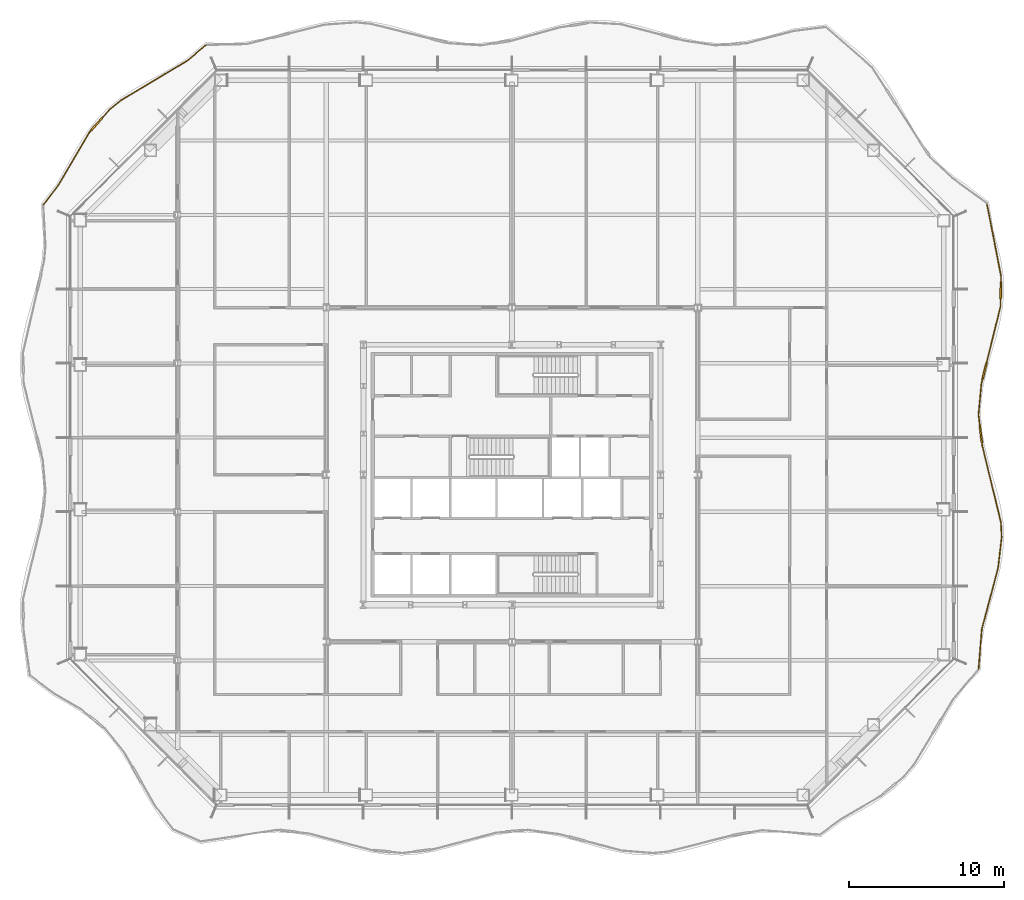
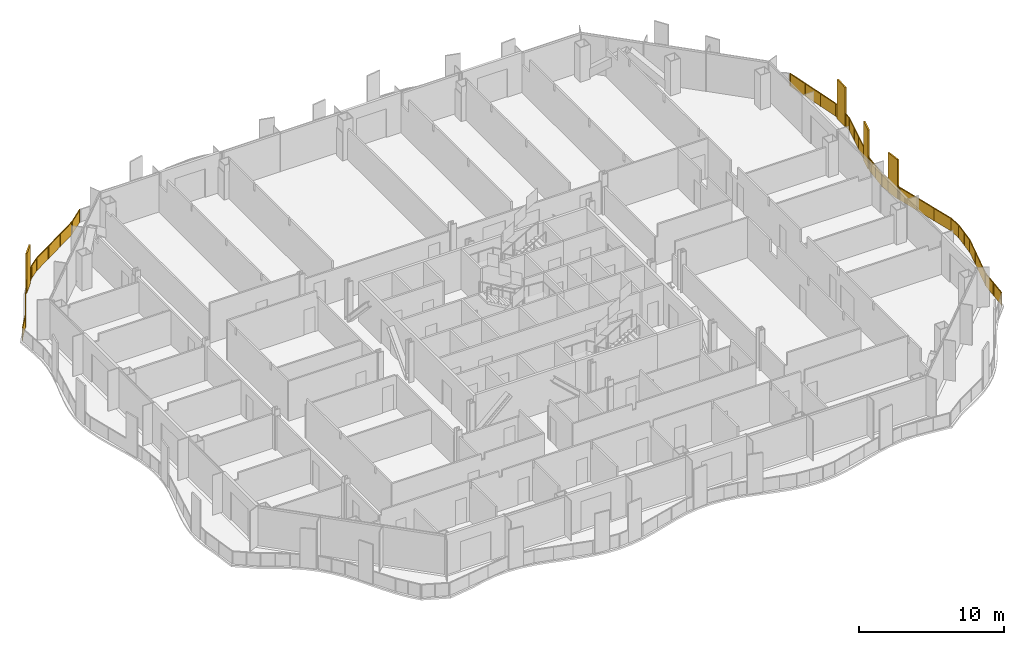
# One storey, part 21 of 23: 2 railings.
"""IFC4 building model written with IfcOpenShell, lengths in metres."""

from ifc_helpers import new_model, si_unit, direction, frame, origin, origin_2d, place, context, subcontext, project, spatial, polyline, rectangle, outline, extrude, material, type_object, element, save


model = new_model("IFC4")

# Units and contexts
model_context = context("Model", 3, precision=1e-05, world=origin(), true_north=direction((0.0, 1.0)))
body_context = subcontext(model_context, "Body", "Model", "MODEL_VIEW")
ifc_project = project(units=[si_unit("LENGTHUNIT", "METRE"), si_unit("AREAUNIT", "SQUARE_METRE"), si_unit("VOLUMEUNIT", "CUBIC_METRE"), si_unit("PLANEANGLEUNIT", "RADIAN"), si_unit("MASSUNIT", "GRAM", prefix="KILO")], contexts=[model_context])

# Site, building, storey
site_placement = place(None, origin())
site = spatial("IfcSite", under=ifc_project, at=site_placement, CompositionType="ELEMENT")
building_placement = place(site_placement, origin())
building = spatial("IfcBuilding", under=site, at=building_placement, Name="Cairn Pilgrim Tower", CompositionType="ELEMENT")
storey_placement = place(building_placement, frame((0.0, 0.0, 115.800048828125)))
storey = spatial("IfcBuildingStorey", under=building, at=storey_placement, Name="L28", CompositionType="ELEMENT", Elevation=115.800048828125)

# Railings
ifc_material = material(Name="Bronze anodised aluminium rail, posts and fin screens with laminated glass infill", Category="aluminium")
railing_type = type_object("IfcRailingType", Name="BALCONY GUARD WITH FIN SCREENS", PredefinedType="GUARDRAIL", material=ifc_material)
railing_1_placement = place(storey_placement, frame((37.3544921875, -10.1611328125, 0.0)))
element("IfcRailing", 1, at=railing_1_placement, inside=storey, type_object=railing_type, Name="Balcony guard BGF-3 with fin screens", PredefinedType="GUARDRAIL", context=body_context, shape_type="SweptSolid", body=[
    extrude(rectangle(XDim=0.050048828125, YDim=0.050048828125, at=origin_2d()), frame((0.0, 0.0, 1.0751953125), z_axis=(0.080963164989, 0.996717094222, 0.0), x_axis=(-0.996717094222, 0.080963164989, 0.0)), (0.0, 0.0, 1.0), 2.581298828125),
    extrude(rectangle(XDim=0.050048828125, YDim=0.050048828125, at=origin_2d()), frame((0.208984375, 2.57275390625, 1.0751953125), z_axis=(0.256616911459, 0.966513197403, 0.0), x_axis=(-0.966513197403, 0.256616911459, 0.0)), (0.0, 0.0, 1.0), 4.11279296875),
    extrude(rectangle(XDim=0.050048828125, YDim=0.050048828125, at=origin_2d()), frame((1.264404296875, 6.5478515625, 1.0751953125), z_axis=(0.116461462847, 0.993195211261, 0.0), x_axis=(-0.993195211261, 0.116461462847, 0.0)), (0.0, 0.0, 1.0), 1.976806640625),
    extrude(rectangle(XDim=0.050048828125, YDim=0.050048828125, at=origin_2d()), frame((1.49462890625, 8.51123046875, 1.0751953125), z_axis=(-0.047697041272, 0.998861848432, 0.0), x_axis=(-0.998861848432, -0.047697041272, 0.0)), (0.0, 0.0, 1.0), 0.967529296875),
    extrude(rectangle(XDim=0.050048828125, YDim=0.050048828125, at=origin_2d()), frame((1.448486328125, 9.4775390625, 1.0751953125), z_axis=(-0.236172172534, 0.971711225067, 0.0), x_axis=(-0.971711225067, -0.236172172534, 0.0)), (0.0, 0.0, 1.0), 5.1044921875),
    extrude(rectangle(XDim=1.10009765625, YDim=0.110107421875, at=origin_2d()), frame((0.152099609375, 15.17724609375, 0.0), z_axis=(0.0, 0.0, 1.0), x_axis=(-0.12206206884, 0.99252246894, 0.0)), (0.0, 0.0, 1.0), 3.300048828125),
    extrude(rectangle(XDim=0.050048828125, YDim=0.050048828125, at=origin_2d()), frame((0.242919921875, 14.437744140625, 1.0751953125), z_axis=(-0.12206206884, 0.99252246894, 0.0), x_axis=(-0.99252246894, -0.12206206884, 0.0)), (0.0, 0.0, 1.0), 0.195068359375),
    extrude(rectangle(XDim=0.050048828125, YDim=0.050048828125, at=origin_2d()), frame((0.0849609375, 15.72314453125, 1.0751953125), z_axis=(-0.12206206884, 0.99252246894, 0.0), x_axis=(-0.99252246894, -0.12206206884, 0.0)), (0.0, 0.0, 1.0), 0.731201171875),
    extrude(rectangle(XDim=0.050048828125, YDim=0.050048828125, at=origin_2d()), frame((-0.00439453125, 16.44873046875, 1.0751953125), z_axis=(0.094638195613, 0.995511733698, 0.0), x_axis=(-0.995511733698, 0.094638195613, 0.0)), (0.0, 0.0, 1.0), 2.0224609375),
    extrude(rectangle(XDim=1.10009765625, YDim=0.110107421875, at=origin_2d()), frame((0.38671875, 19.267578125, 0.0), z_axis=(0.0, 0.0, 1.0), x_axis=(0.240590450199, 0.970626722934, 0.0)), (0.0, 0.0, 1.0), 3.300048828125),
    extrude(rectangle(XDim=0.050048828125, YDim=0.050048828125, at=origin_2d()), frame((0.18701171875, 18.462158203125, 1.0751953125), z_axis=(0.240590450199, 0.970626722934, 0.0), x_axis=(-0.970626722934, 0.240590450199, 0.0)), (0.0, 0.0, 1.0), 0.27978515625),
    extrude(rectangle(XDim=0.050048828125, YDim=0.050048828125, at=origin_2d()), frame((0.51904296875, 19.801513671875, 1.0751953125), z_axis=(0.240590450199, 0.970626722934, 0.0), x_axis=(-0.970626722934, 0.240590450199, 0.0)), (0.0, 0.0, 1.0), 3.73046875),
    extrude(rectangle(XDim=1.10009765625, YDim=0.110107421875, at=origin_2d()), frame((1.439208984375, 24.496337890625, 0.0), z_axis=(0.0, 0.0, 1.0), x_axis=(0.021242549652, 0.999774351584, 0.0)), (0.0, 0.0, 1.0), 3.300048828125),
    extrude(rectangle(XDim=0.050048828125, YDim=0.050048828125, at=origin_2d()), frame((1.41650390625, 23.42236328125, 1.0751953125), z_axis=(0.021242549652, 0.999774351584, 0.0), x_axis=(-0.999774351584, 0.021242549652, 0.0)), (0.0, 0.0, 1.0), 0.524169921875),
    extrude(rectangle(XDim=0.050048828125, YDim=0.050048828125, at=origin_2d()), frame((1.450927734375, 25.046142578125, 1.0751953125), z_axis=(0.021242549652, 0.999774351584, 0.0), x_axis=(-0.999774351584, 0.021242549652, 0.0)), (0.0, 0.0, 1.0), 0.32958984375),
    extrude(rectangle(XDim=0.050048828125, YDim=0.050048828125, at=origin_2d()), frame((1.4580078125, 25.375732421875, 1.0751953125), z_axis=(-0.191346697176, 0.981522511958, 0.0), x_axis=(-0.981522511958, -0.191346697176, 0.0)), (0.0, 0.0, 1.0), 4.766845703125),
    extrude(rectangle(XDim=0.050048828125, YDim=0.050048828125, at=origin_2d()), origin(), (0.0, 0.0, 1.0), 1.050048828125),
    extrude(rectangle(XDim=0.050048828125, YDim=0.050048828125, at=origin_2d()), frame((0.1044921875, 1.286376953125, 0.0)), (0.0, 0.0, 1.0), 1.050048828125),
    extrude(rectangle(XDim=0.050048828125, YDim=0.050048828125, at=origin_2d()), frame((0.208984375, 2.57275390625, 0.0)), (0.0, 0.0, 1.0), 1.050048828125),
    extrude(rectangle(XDim=0.050048828125, YDim=0.050048828125, at=origin_2d()), frame((0.560791015625, 3.897705078125, 0.0)), (0.0, 0.0, 1.0), 1.050048828125),
    extrude(rectangle(XDim=0.050048828125, YDim=0.050048828125, at=origin_2d()), frame((0.91259765625, 5.222900390625, 0.0)), (0.0, 0.0, 1.0), 1.050048828125),
    extrude(rectangle(XDim=0.050048828125, YDim=0.050048828125, at=origin_2d()), frame((1.264404296875, 6.5478515625, 0.0)), (0.0, 0.0, 1.0), 1.050048828125),
    extrude(rectangle(XDim=0.050048828125, YDim=0.050048828125, at=origin_2d()), frame((1.37939453125, 7.529541015625, 0.0)), (0.0, 0.0, 1.0), 1.050048828125),
    extrude(rectangle(XDim=0.050048828125, YDim=0.050048828125, at=origin_2d()), frame((1.49462890625, 8.51123046875, 0.0)), (0.0, 0.0, 1.0), 1.050048828125),
    extrude(rectangle(XDim=0.050048828125, YDim=0.050048828125, at=origin_2d()), frame((1.448486328125, 9.4775390625, 0.0)), (0.0, 0.0, 1.0), 1.050048828125),
    extrude(rectangle(XDim=0.050048828125, YDim=0.050048828125, at=origin_2d()), frame((1.046630859375, 11.130859375, 0.0)), (0.0, 0.0, 1.0), 1.050048828125),
    extrude(rectangle(XDim=0.050048828125, YDim=0.050048828125, at=origin_2d()), frame((0.644775390625, 12.784423828125, 0.0)), (0.0, 0.0, 1.0), 1.050048828125),
    extrude(rectangle(XDim=0.050048828125, YDim=0.050048828125, at=origin_2d()), frame((0.242919921875, 14.437744140625, 0.0)), (0.0, 0.0, 1.0), 1.050048828125),
    extrude(rectangle(XDim=0.050048828125, YDim=0.050048828125, at=origin_2d()), frame((0.22216796875, 14.6064453125, 0.0)), (0.0, 0.0, 1.0), 1.050048828125),
    extrude(rectangle(XDim=0.050048828125, YDim=0.050048828125, at=origin_2d()), frame((0.081787109375, 15.747802734375, 0.0)), (0.0, 0.0, 1.0), 1.050048828125),
    extrude(rectangle(XDim=0.050048828125, YDim=0.050048828125, at=origin_2d()), frame((-0.00439453125, 16.44873046875, 0.0)), (0.0, 0.0, 1.0), 1.050048828125),
    extrude(rectangle(XDim=0.050048828125, YDim=0.050048828125, at=origin_2d()), frame((0.09130859375, 17.45556640625, 0.0)), (0.0, 0.0, 1.0), 1.050048828125),
    extrude(rectangle(XDim=0.050048828125, YDim=0.050048828125, at=origin_2d()), frame((0.18701171875, 18.462158203125, 0.0)), (0.0, 0.0, 1.0), 1.050048828125),
    extrude(rectangle(XDim=0.050048828125, YDim=0.050048828125, at=origin_2d()), frame((0.248291015625, 18.70947265625, 0.0)), (0.0, 0.0, 1.0), 1.050048828125),
    extrude(rectangle(XDim=0.050048828125, YDim=0.050048828125, at=origin_2d()), frame((0.52490234375, 19.82568359375, 0.0)), (0.0, 0.0, 1.0), 1.050048828125),
    extrude(rectangle(XDim=0.050048828125, YDim=0.050048828125, at=origin_2d()), frame((0.822265625, 21.024658203125, 0.0)), (0.0, 0.0, 1.0), 1.050048828125),
    extrude(rectangle(XDim=0.050048828125, YDim=0.050048828125, at=origin_2d()), frame((1.119384765625, 22.223388671875, 0.0)), (0.0, 0.0, 1.0), 1.050048828125),
    extrude(rectangle(XDim=0.050048828125, YDim=0.050048828125, at=origin_2d()), frame((1.41650390625, 23.42236328125, 0.0)), (0.0, 0.0, 1.0), 1.050048828125),
    extrude(rectangle(XDim=0.050048828125, YDim=0.050048828125, at=origin_2d()), frame((1.427001953125, 23.92138671875, 0.0)), (0.0, 0.0, 1.0), 1.050048828125),
    extrude(rectangle(XDim=0.050048828125, YDim=0.050048828125, at=origin_2d()), frame((1.45166015625, 25.0712890625, 0.0)), (0.0, 0.0, 1.0), 1.050048828125),
    extrude(rectangle(XDim=0.050048828125, YDim=0.050048828125, at=origin_2d()), frame((1.4580078125, 25.375732421875, 0.0)), (0.0, 0.0, 1.0), 1.050048828125),
    extrude(rectangle(XDim=0.050048828125, YDim=0.050048828125, at=origin_2d()), frame((1.154052734375, 26.935302734375, 0.0)), (0.0, 0.0, 1.0), 1.050048828125),
    extrude(rectangle(XDim=0.050048828125, YDim=0.050048828125, at=origin_2d()), frame((0.849853515625, 28.494873046875, 0.0)), (0.0, 0.0, 1.0), 1.050048828125),
    extrude(rectangle(XDim=0.050048828125, YDim=0.050048828125, at=origin_2d()), frame((0.5458984375, 30.054443359375, 0.0)), (0.0, 0.0, 1.0), 1.050048828125),
    extrude(outline(polyline([(0.02490234375, 0.0), (1.265625, 0.0), (1.265625, 1.050048828125), (0.02490234375, 1.050048828125), (0.02490234375, 0.0)])), frame((-0.005859375, 0.00048828125, 0.0), z_axis=(0.996717094222, -0.080963164989, 0.0), x_axis=(0.080963164989, 0.996717094222, 0.0)), (0.0, 0.0, 1.0), 0.011962890625),
    extrude(outline(polyline([(0.02490234375, 0.0), (1.265625, 0.0), (1.265625, 1.050048828125), (0.02490234375, 1.050048828125), (0.02490234375, 0.0)])), frame((0.0986328125, 1.286865234375, 0.0), z_axis=(0.996717094222, -0.080963164989, 0.0), x_axis=(0.080963164989, 0.996717094222, 0.0)), (0.0, 0.0, 1.0), 0.011962890625),
    extrude(outline(polyline([(0.02490234375, 0.0), (1.345947265625, 0.0), (1.345947265625, 1.050048828125), (0.02490234375, 1.050048828125), (0.02490234375, 0.0)])), frame((0.203125, 2.57421875, 0.0), z_axis=(0.966513197403, -0.256616911459, 0.0), x_axis=(0.256616911459, 0.966513197403, 0.0)), (0.0, 0.0, 1.0), 0.011962890625),
    extrude(outline(polyline([(0.02490234375, 0.0), (1.345947265625, 0.0), (1.345947265625, 1.050048828125), (0.02490234375, 1.050048828125), (0.02490234375, 0.0)])), frame((0.554931640625, 3.8994140625, 0.0), z_axis=(0.966513197403, -0.256616911459, 0.0), x_axis=(0.256616911459, 0.966513197403, 0.0)), (0.0, 0.0, 1.0), 0.011962890625),
    extrude(outline(polyline([(0.02490234375, 0.0), (1.345947265625, 0.0), (1.345947265625, 1.050048828125), (0.02490234375, 1.050048828125), (0.02490234375, 0.0)])), frame((0.90673828125, 5.224365234375, 0.0), z_axis=(0.966513197403, -0.256616911459, 0.0), x_axis=(0.256616911459, 0.966513197403, 0.0)), (0.0, 0.0, 1.0), 0.011962890625),
    extrude(outline(polyline([(0.02490234375, 0.0), (0.96337890625, 0.0), (0.96337890625, 1.050048828125), (0.02490234375, 1.050048828125), (0.02490234375, 0.0)])), frame((1.258544921875, 6.548583984375, 0.0), z_axis=(0.993195211261, -0.116461462847, 0.0), x_axis=(0.116461462847, 0.993195211261, 0.0)), (0.0, 0.0, 1.0), 0.011962890625),
    extrude(outline(polyline([(0.02490234375, 0.0), (0.96337890625, 0.0), (0.96337890625, 1.050048828125), (0.02490234375, 1.050048828125), (0.02490234375, 0.0)])), frame((1.37353515625, 7.5302734375, 0.0), z_axis=(0.993195211261, -0.116461462847, 0.0), x_axis=(0.116461462847, 0.993195211261, 0.0)), (0.0, 0.0, 1.0), 0.011962890625),
    extrude(outline(polyline([(0.02490234375, 0.0), (0.9423828125, 0.0), (0.9423828125, 1.050048828125), (0.02490234375, 1.050048828125), (0.02490234375, 0.0)])), frame((1.48876953125, 8.510986328125, 0.0), z_axis=(0.998861848432, 0.047697041272, 0.0), x_axis=(-0.047697041272, 0.998861848432, 0.0)), (0.0, 0.0, 1.0), 0.011962890625),
    extrude(outline(polyline([(0.02490234375, 0.0), (1.676513671875, 0.0), (1.676513671875, 1.050048828125), (0.02490234375, 1.050048828125), (0.02490234375, 0.0)])), frame((1.442626953125, 9.47607421875, 0.0), z_axis=(0.971711225067, 0.236172172534, 0.0), x_axis=(-0.236172172534, 0.971711225067, 0.0)), (0.0, 0.0, 1.0), 0.011962890625),
    extrude(outline(polyline([(0.02490234375, 0.0), (1.676513671875, 0.0), (1.676513671875, 1.050048828125), (0.02490234375, 1.050048828125), (0.02490234375, 0.0)])), frame((1.040771484375, 11.129638671875, 0.0), z_axis=(0.971711225067, 0.236172172534, 0.0), x_axis=(-0.236172172534, 0.971711225067, 0.0)), (0.0, 0.0, 1.0), 0.011962890625),
    extrude(outline(polyline([(0.02490234375, 0.0), (1.676513671875, 0.0), (1.676513671875, 1.050048828125), (0.02490234375, 1.050048828125), (0.02490234375, 0.0)])), frame((0.638916015625, 12.782958984375, 0.0), z_axis=(0.971711225067, 0.236172172534, 0.0), x_axis=(-0.236172172534, 0.971711225067, 0.0)), (0.0, 0.0, 1.0), 0.011962890625),
    extrude(outline(polyline([(0.02490234375, 0.0), (0.14501953125, 0.0), (0.14501953125, 1.050048828125), (0.02490234375, 1.050048828125), (0.02490234375, 0.0)])), frame((0.237060546875, 14.43701171875, 0.0), z_axis=(0.99252246894, 0.12206206884, 0.0), x_axis=(-0.12206206884, 0.99252246894, 0.0)), (0.0, 0.0, 1.0), 0.011962890625),
    extrude(outline(polyline([(0.02490234375, 0.0), (0.68115234375, 0.0), (0.68115234375, 1.050048828125), (0.02490234375, 1.050048828125), (0.02490234375, 0.0)])), frame((0.075927734375, 15.7470703125, 0.0), z_axis=(0.99252246894, 0.12206206884, 0.0), x_axis=(-0.12206206884, 0.99252246894, 0.0)), (0.0, 0.0, 1.0), 0.011962890625),
    extrude(outline(polyline([(0.02490234375, 0.0), (0.986328125, 0.0), (0.986328125, 1.050048828125), (0.02490234375, 1.050048828125), (0.02490234375, 0.0)])), frame((-0.01025390625, 16.44921875, 0.0), z_axis=(0.995511733698, -0.094638195613, 0.0), x_axis=(0.094638195613, 0.995511733698, 0.0)), (0.0, 0.0, 1.0), 0.011962890625),
    extrude(outline(polyline([(0.02490234375, 0.0), (0.986328125, 0.0), (0.986328125, 1.050048828125), (0.02490234375, 1.050048828125), (0.02490234375, 0.0)])), frame((0.08544921875, 17.4560546875, 0.0), z_axis=(0.995511733698, -0.094638195613, 0.0), x_axis=(0.094638195613, 0.995511733698, 0.0)), (0.0, 0.0, 1.0), 0.011962890625),
    extrude(outline(polyline([(0.02490234375, 0.0), (0.229736328125, 0.0), (0.229736328125, 1.050048828125), (0.02490234375, 1.050048828125), (0.02490234375, 0.0)])), frame((0.18115234375, 18.463623046875, 0.0), z_axis=(0.970626722934, -0.240590450199, 0.0), x_axis=(0.240590450199, 0.970626722934, 0.0)), (0.0, 0.0, 1.0), 0.011962890625),
    extrude(outline(polyline([(0.02490234375, 0.0), (1.210205078125, 0.0), (1.210205078125, 1.050048828125), (0.02490234375, 1.050048828125), (0.02490234375, 0.0)])), frame((0.519287109375, 19.8271484375, 0.0), z_axis=(0.970626722934, -0.240590450199, 0.0), x_axis=(0.240590450199, 0.970626722934, 0.0)), (0.0, 0.0, 1.0), 0.011962890625),
    extrude(outline(polyline([(0.02490234375, 0.0), (1.210205078125, 0.0), (1.210205078125, 1.050048828125), (0.02490234375, 1.050048828125), (0.02490234375, 0.0)])), frame((0.81640625, 21.026123046875, 0.0), z_axis=(0.970626722934, -0.240590450199, 0.0), x_axis=(0.240590450199, 0.970626722934, 0.0)), (0.0, 0.0, 1.0), 0.011962890625),
    extrude(outline(polyline([(0.02490234375, 0.0), (1.210205078125, 0.0), (1.210205078125, 1.050048828125), (0.02490234375, 1.050048828125), (0.02490234375, 0.0)])), frame((1.113525390625, 22.224853515625, 0.0), z_axis=(0.970626722934, -0.240590450199, 0.0), x_axis=(0.240590450199, 0.970626722934, 0.0)), (0.0, 0.0, 1.0), 0.011962890625),
    extrude(outline(polyline([(0.02490234375, 0.0), (0.47412109375, 0.0), (0.47412109375, 1.050048828125), (0.02490234375, 1.050048828125), (0.02490234375, 0.0)])), frame((1.41064453125, 23.422607421875, 0.0), z_axis=(0.999774351584, -0.021242549652, 0.0), x_axis=(0.021242549652, 0.999774351584, 0.0)), (0.0, 0.0, 1.0), 0.011962890625),
    extrude(outline(polyline([(0.02490234375, 0.0), (0.279541015625, 0.0), (0.279541015625, 1.050048828125), (0.02490234375, 1.050048828125), (0.02490234375, 0.0)])), frame((1.445556640625, 25.0712890625, 0.0), z_axis=(0.999774351584, -0.021242549652, 0.0), x_axis=(0.021242549652, 0.999774351584, 0.0)), (0.0, 0.0, 1.0), 0.011962890625),
    extrude(outline(polyline([(0.02490234375, 0.0), (1.56396484375, 0.0), (1.56396484375, 1.050048828125), (0.02490234375, 1.050048828125), (0.02490234375, 0.0)])), frame((1.4521484375, 25.37451171875, 0.0), z_axis=(0.981522511958, 0.191346697176, 0.0), x_axis=(-0.191346697176, 0.981522511958, 0.0)), (0.0, 0.0, 1.0), 0.011962890625),
    extrude(outline(polyline([(0.02490234375, 0.0), (1.56396484375, 0.0), (1.56396484375, 1.050048828125), (0.02490234375, 1.050048828125), (0.02490234375, 0.0)])), frame((1.148193359375, 26.93408203125, 0.0), z_axis=(0.981522511958, 0.191346697176, 0.0), x_axis=(-0.191346697176, 0.981522511958, 0.0)), (0.0, 0.0, 1.0), 0.011962890625),
    extrude(outline(polyline([(0.02490234375, 0.0), (1.56396484375, 0.0), (1.56396484375, 1.050048828125), (0.02490234375, 1.050048828125), (0.02490234375, 0.0)])), frame((0.843994140625, 28.49365234375, 0.0), z_axis=(0.981522511958, 0.191346697176, 0.0), x_axis=(-0.191346697176, 0.981522511958, 0.0)), (0.0, 0.0, 1.0), 0.011962890625),
])
railing_2_placement = place(storey_placement, frame((-12.578369140625, 30.183837890625, 0.0)))
element("IfcRailing", 2, at=railing_2_placement, inside=storey, type_object=railing_type, Name="Balcony guard BGF-6 with fin screens", PredefinedType="GUARDRAIL", context=body_context, shape_type="SweptSolid", body=[
    extrude(rectangle(XDim=0.050048828125, YDim=0.050048828125, at=origin_2d()), frame((0.0, 0.0, 1.0751953125), z_axis=(-0.762967130192, -0.646437280984, 0.0), x_axis=(0.646437280984, -0.762967130192, 0.0)), (0.0, 0.0, 1.0), 1.5693359375),
    extrude(rectangle(XDim=0.050048828125, YDim=0.050048828125, at=origin_2d()), frame((-1.197265625, -1.014404296875, 1.0751953125), z_axis=(-0.858262906859, -0.513210271439, 0.0), x_axis=(0.513210271439, -0.858262906859, 0.0)), (0.0, 0.0, 1.0), 5.001708984375),
    extrude(rectangle(XDim=0.050048828125, YDim=0.050048828125, at=origin_2d()), frame((-5.489990234375, -3.581298828125, 1.0751953125), z_axis=(-0.77753134827, -0.628844179791, 0.0), x_axis=(0.628844179791, -0.77753134827, 0.0)), (0.0, 0.0, 1.0), 0.952392578125),
    extrude(rectangle(XDim=1.10009765625, YDim=0.110107421875, at=origin_2d()), frame((-7.03955078125, -5.08740234375, 0.0), z_axis=(0.0, 0.0, 1.0), x_axis=(-0.665549615174, -0.74635360905, 0.0)), (0.0, 0.0, 1.0), 3.300048828125),
    extrude(rectangle(XDim=0.050048828125, YDim=0.050048828125, at=origin_2d()), frame((-6.23046875, -4.18017578125, 1.0751953125), z_axis=(-0.665549615174, -0.74635360905, 0.0), x_axis=(0.74635360905, -0.665549615174, 0.0)), (0.0, 0.0, 1.0), 0.66552734375),
    extrude(rectangle(XDim=0.050048828125, YDim=0.050048828125, at=origin_2d()), frame((-7.405517578125, -5.497802734375, 1.0751953125), z_axis=(-0.665549615174, -0.74635360905, 0.0), x_axis=(0.74635360905, -0.665549615174, 0.0)), (0.0, 0.0, 1.0), 0.150146484375),
    extrude(rectangle(XDim=0.050048828125, YDim=0.050048828125, at=origin_2d()), frame((-7.50537109375, -5.60986328125, 1.0751953125), z_axis=(-0.506436251827, -0.862277404804, 0.0), x_axis=(0.862277404804, -0.506436251827, 0.0)), (0.0, 0.0, 1.0), 4.002685546875),
    extrude(rectangle(XDim=0.050048828125, YDim=0.050048828125, at=origin_2d()), frame((-9.532470703125, -9.061279296875, 1.0751953125), z_axis=(-0.611363011328, -0.791350281721, 0.0), x_axis=(0.791350281721, -0.611363011328, 0.0)), (0.0, 0.0, 1.0), 1.5625),
    extrude(rectangle(XDim=0.050048828125, YDim=0.050048828125, at=origin_2d()), origin(), (0.0, 0.0, 1.0), 1.050048828125),
    extrude(rectangle(XDim=0.050048828125, YDim=0.050048828125, at=origin_2d()), frame((-1.197265625, -1.014404296875, 0.0)), (0.0, 0.0, 1.0), 1.050048828125),
    extrude(rectangle(XDim=0.050048828125, YDim=0.050048828125, at=origin_2d()), frame((-2.628173828125, -1.8701171875, 0.0)), (0.0, 0.0, 1.0), 1.050048828125),
    extrude(rectangle(XDim=0.050048828125, YDim=0.050048828125, at=origin_2d()), frame((-4.05908203125, -2.7255859375, 0.0)), (0.0, 0.0, 1.0), 1.050048828125),
    extrude(rectangle(XDim=0.050048828125, YDim=0.050048828125, at=origin_2d()), frame((-5.489990234375, -3.581298828125, 0.0)), (0.0, 0.0, 1.0), 1.050048828125),
    extrude(rectangle(XDim=0.050048828125, YDim=0.050048828125, at=origin_2d()), frame((-6.23046875, -4.18017578125, 0.0)), (0.0, 0.0, 1.0), 1.050048828125),
    extrude(rectangle(XDim=0.050048828125, YDim=0.050048828125, at=origin_2d()), frame((-6.65673828125, -4.658203125, 0.0)), (0.0, 0.0, 1.0), 1.050048828125),
    extrude(rectangle(XDim=0.050048828125, YDim=0.050048828125, at=origin_2d()), frame((-7.422119140625, -5.5166015625, 0.0)), (0.0, 0.0, 1.0), 1.050048828125),
    extrude(rectangle(XDim=0.050048828125, YDim=0.050048828125, at=origin_2d()), frame((-7.50537109375, -5.60986328125, 0.0)), (0.0, 0.0, 1.0), 1.050048828125),
    extrude(rectangle(XDim=0.050048828125, YDim=0.050048828125, at=origin_2d()), frame((-8.18115234375, -6.76025390625, 0.0)), (0.0, 0.0, 1.0), 1.050048828125),
    extrude(rectangle(XDim=0.050048828125, YDim=0.050048828125, at=origin_2d()), frame((-8.856689453125, -7.910888671875, 0.0)), (0.0, 0.0, 1.0), 1.050048828125),
    extrude(rectangle(XDim=0.050048828125, YDim=0.050048828125, at=origin_2d()), frame((-9.532470703125, -9.061279296875, 0.0)), (0.0, 0.0, 1.0), 1.050048828125),
    extrude(rectangle(XDim=0.050048828125, YDim=0.050048828125, at=origin_2d()), frame((-10.48779296875, -10.2978515625, 0.0)), (0.0, 0.0, 1.0), 1.050048828125),
    extrude(outline(polyline([(0.02490234375, 0.0), (1.544189453125, 0.0), (1.544189453125, 1.050048828125), (0.02490234375, 1.050048828125), (0.02490234375, 0.0)])), frame((0.00390625, -0.004638671875, 0.0), z_axis=(-0.646437280984, 0.762967130192, 0.0), x_axis=(-0.762967130192, -0.646437280984, 0.0)), (0.0, 0.0, 1.0), 0.011962890625),
    extrude(outline(polyline([(0.02490234375, 0.0), (1.64208984375, 0.0), (1.64208984375, 1.050048828125), (0.02490234375, 1.050048828125), (0.02490234375, 0.0)])), frame((-1.194091796875, -1.01953125, 0.0), z_axis=(-0.513210271439, 0.858262906859, 0.0), x_axis=(-0.858262906859, -0.513210271439, 0.0)), (0.0, 0.0, 1.0), 0.011962890625),
    extrude(outline(polyline([(0.02490234375, 0.0), (1.64208984375, 0.0), (1.64208984375, 1.050048828125), (0.02490234375, 1.050048828125), (0.02490234375, 0.0)])), frame((-2.625, -1.875244140625, 0.0), z_axis=(-0.513210271439, 0.858262906859, 0.0), x_axis=(-0.858262906859, -0.513210271439, 0.0)), (0.0, 0.0, 1.0), 0.011962890625),
    extrude(outline(polyline([(0.02490234375, 0.0), (1.64208984375, 0.0), (1.64208984375, 1.050048828125), (0.02490234375, 1.050048828125), (0.02490234375, 0.0)])), frame((-4.055908203125, -2.730712890625, 0.0), z_axis=(-0.513210271439, 0.858262906859, 0.0), x_axis=(-0.858262906859, -0.513210271439, 0.0)), (0.0, 0.0, 1.0), 0.011962890625),
    extrude(outline(polyline([(0.02490234375, 0.0), (0.92724609375, 0.0), (0.92724609375, 1.050048828125), (0.02490234375, 1.050048828125), (0.02490234375, 0.0)])), frame((-5.486328125, -3.5859375, 0.0), z_axis=(-0.628844179791, 0.77753134827, 0.0), x_axis=(-0.77753134827, -0.628844179791, 0.0)), (0.0, 0.0, 1.0), 0.011962890625),
    extrude(outline(polyline([(0.02490234375, 0.0), (0.615478515625, 0.0), (0.615478515625, 1.050048828125), (0.02490234375, 1.050048828125), (0.02490234375, 0.0)])), frame((-6.22607421875, -4.18408203125, 0.0), z_axis=(-0.74635360905, 0.665549615174, 0.0), x_axis=(-0.665549615174, -0.74635360905, 0.0)), (0.0, 0.0, 1.0), 0.011962890625),
    extrude(outline(polyline([(0.02490234375, 0.0), (0.10009765625, 0.0), (0.10009765625, 1.050048828125), (0.02490234375, 1.050048828125), (0.02490234375, 0.0)])), frame((-7.417724609375, -5.5205078125, 0.0), z_axis=(-0.74635360905, 0.665549615174, 0.0), x_axis=(-0.665549615174, -0.74635360905, 0.0)), (0.0, 0.0, 1.0), 0.011962890625),
    extrude(outline(polyline([(0.02490234375, 0.0), (1.30908203125, 0.0), (1.30908203125, 1.050048828125), (0.02490234375, 1.050048828125), (0.02490234375, 0.0)])), frame((-7.500244140625, -5.61279296875, 0.0), z_axis=(-0.862277404804, 0.506436251827, 0.0), x_axis=(-0.506436251827, -0.862277404804, 0.0)), (0.0, 0.0, 1.0), 0.011962890625),
    extrude(outline(polyline([(0.02490234375, 0.0), (1.30908203125, 0.0), (1.30908203125, 1.050048828125), (0.02490234375, 1.050048828125), (0.02490234375, 0.0)])), frame((-8.176025390625, -6.763427734375, 0.0), z_axis=(-0.862277404804, 0.506436251827, 0.0), x_axis=(-0.506436251827, -0.862277404804, 0.0)), (0.0, 0.0, 1.0), 0.011962890625),
    extrude(outline(polyline([(0.02490234375, 0.0), (1.30908203125, 0.0), (1.30908203125, 1.050048828125), (0.02490234375, 1.050048828125), (0.02490234375, 0.0)])), frame((-8.8515625, -7.913818359375, 0.0), z_axis=(-0.862277404804, 0.506436251827, 0.0), x_axis=(-0.506436251827, -0.862277404804, 0.0)), (0.0, 0.0, 1.0), 0.011962890625),
    extrude(outline(polyline([(0.02490234375, 0.0), (1.53759765625, 0.0), (1.53759765625, 1.050048828125), (0.02490234375, 1.050048828125), (0.02490234375, 0.0)])), frame((-9.52783203125, -9.06494140625, 0.0), z_axis=(-0.791350281721, 0.611363011328, 0.0), x_axis=(-0.611363011328, -0.791350281721, 0.0)), (0.0, 0.0, 1.0), 0.011962890625),
])

save(model, "model.ifc")
